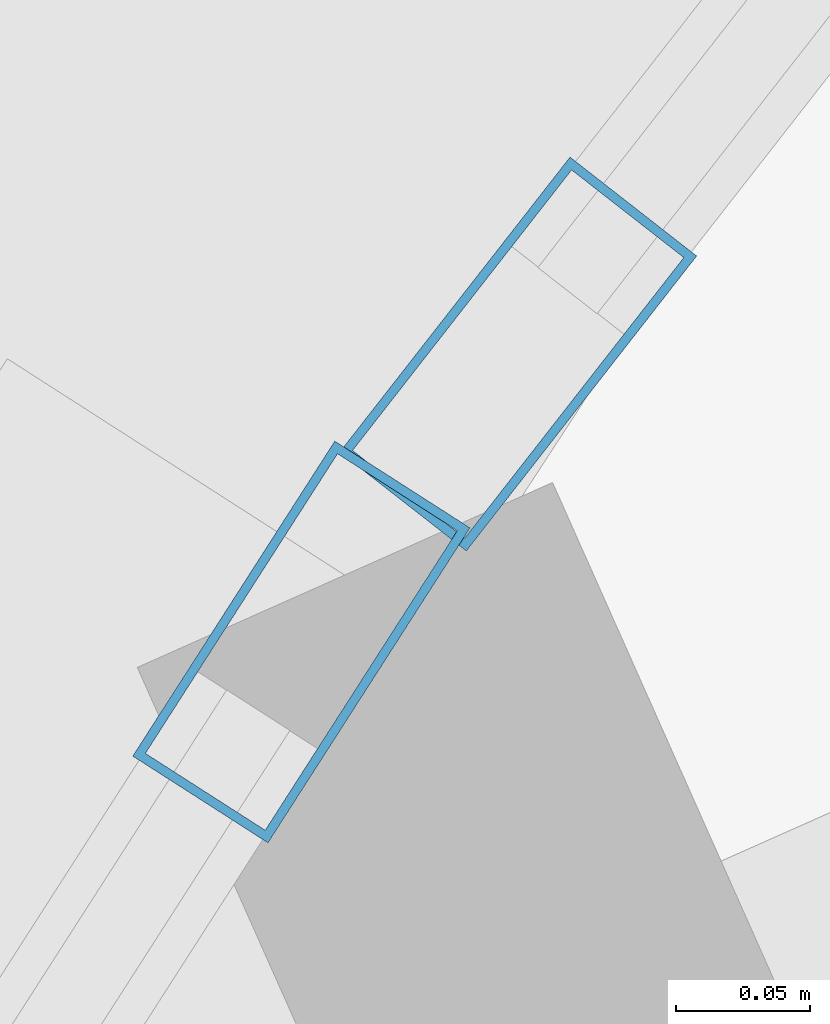
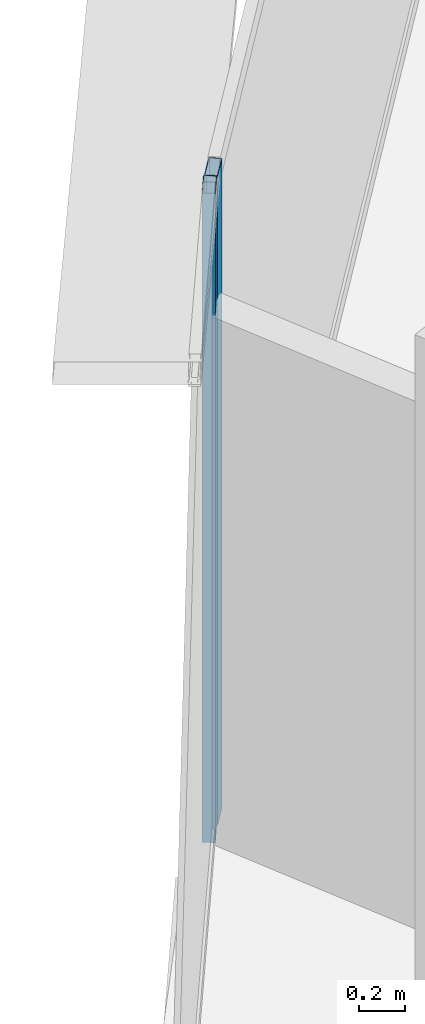
# One storey, part 19 of 37: 2 members, 2 elements without a shape of their own.
"""IFC4 building model written with IfcOpenShell, lengths in metres."""

from ifc_helpers import new_model, si_unit, direction, frame, origin, origin_2d, place, context, subcontext, project, spatial, hollow_rectangle, extrude, source, transform, mapped, material, layer, layer_set, material_profile, profile_set, type_object, element, aggregate, save


model = new_model("IFC4")

# Units and contexts
model_context = context("Model", 3, precision=1e-05, world=origin(), true_north=direction((0.0, 1.0)))
body_context = subcontext(model_context, "Body", "Model", "MODEL_VIEW")
ifc_project = project(units=[si_unit("LENGTHUNIT", "METRE"), si_unit("AREAUNIT", "SQUARE_METRE"), si_unit("VOLUMEUNIT", "CUBIC_METRE"), si_unit("PLANEANGLEUNIT", "RADIAN"), si_unit("MASSUNIT", "GRAM", prefix="KILO"), si_unit("THERMODYNAMICTEMPERATUREUNIT", "KELVIN"), si_unit("POWERUNIT", "WATT")], contexts=[model_context])

# Site, building, storey
site_placement = place(None, origin())
site = spatial("IfcSite", under=ifc_project, at=site_placement, CompositionType="ELEMENT")
building_placement = place(site_placement, origin())
building = spatial("IfcBuilding", under=site, at=building_placement, Name="Yunzhuo Pagoda Commons", CompositionType="ELEMENT")
storey_placement = place(building_placement, frame((0.0, 0.0, 259.449951171875)))
storey = spatial("IfcBuildingStorey", under=building, at=storey_placement, Name="L65", CompositionType="ELEMENT", Elevation=259.449951171875)

# Curtain wall, member
ifc_material = material(Name="Anodized aluminium 6063-T6", Category="aluminium")
ifc_layer = layer(ifc_material, 0.139892578125)
ifc_layer_set = layer_set([ifc_layer], Name="Anodized aluminium 6063-T6")
curtain_wall_type = type_object("IfcCurtainWallType", Name="CW-HI High-Zone Ribbon Curtain Wall", PredefinedType="NOTDEFINED", material=ifc_layer_set)
curtain_wall_1_placement = place(storey_placement, origin())
curtain_wall_1 = element("IfcCurtainWall", 1, at=curtain_wall_1_placement, inside=storey, type_object=curtain_wall_type, Name="L65 curtain wall CW-L65-F3B2", PredefinedType="NOTDEFINED")
ifc_material_profile = material_profile(ifc_material, hollow_rectangle(XDim=0.06005859375, YDim=0.139892578125, WallThickness=0.00341796875, at=origin_2d()), Name="Anodized aluminium 6063-T6")
ifc_profile_set = profile_set([ifc_material_profile], Name="Anodized aluminium 6063-T6")
member_type = type_object("IfcMemberType", Name="CW-HI-M Mullion RHS 140x60x3.5", PredefinedType="MULLION", material=ifc_profile_set)
shared_shape = source(origin(), body_context, "Body", "SweptSolid", [
    extrude(hollow_rectangle(XDim=0.06005859375, YDim=0.139892578125, WallThickness=0.00341796875, at=origin_2d()), origin(), (0.0, 0.0, 1.0), 3.469970703125),
])
member_1_placement = place(storey_placement, frame((33.826904296875, 65.4716796875, 0.0), z_axis=(0.0, 0.0, 1.0), x_axis=(0.841750083847, -0.539867387738, 0.0)))
member_1 = element("IfcMember", 2, at=member_1_placement, type_object=member_type, Name="CW mullion 1", PredefinedType="MULLION", context=body_context, shape_type="MappedRepresentation", body=[
    mapped(shared_shape, transform((0.0, 0.0, 0.0), scale=1.0)),
])
aggregate(curtain_wall_1, [member_1])

curtain_wall_2_placement = place(storey_placement, origin())
curtain_wall_2 = element("IfcCurtainWall", 3, at=curtain_wall_2_placement, inside=storey, type_object=curtain_wall_type, Name="L65 curtain wall CW-L65-F3B1", PredefinedType="NOTDEFINED")
member_2_placement = place(storey_placement, frame((33.907958984375, 65.579345703125, 0.0), z_axis=(0.0, 0.0, 1.0), x_axis=(0.788189580024, -0.615432519405, 0.0)))
member_2 = element("IfcMember", 4, at=member_2_placement, type_object=member_type, Name="CW mullion 2", PredefinedType="MULLION", context=body_context, shape_type="MappedRepresentation", body=[
    mapped(shared_shape, transform((0.0, 0.0, 0.0), scale=1.0)),
])
aggregate(curtain_wall_2, [member_2])

save(model, "model.ifc")
